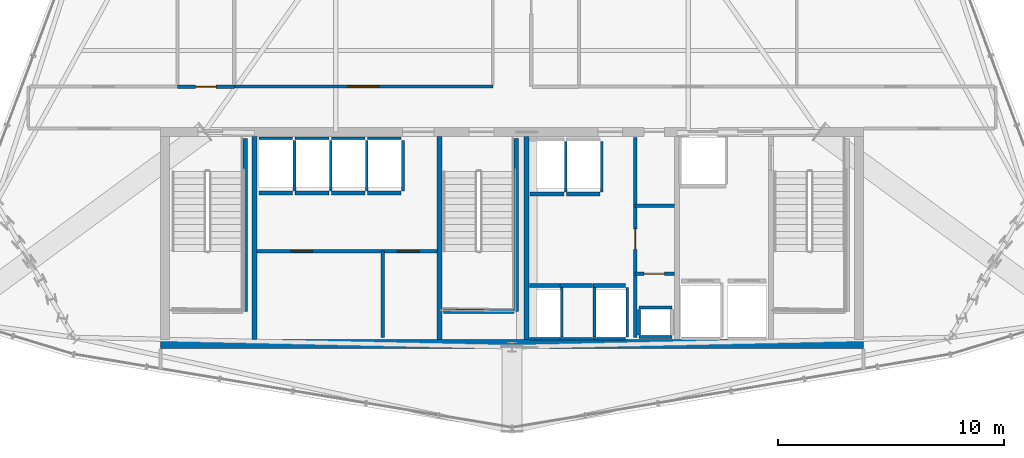
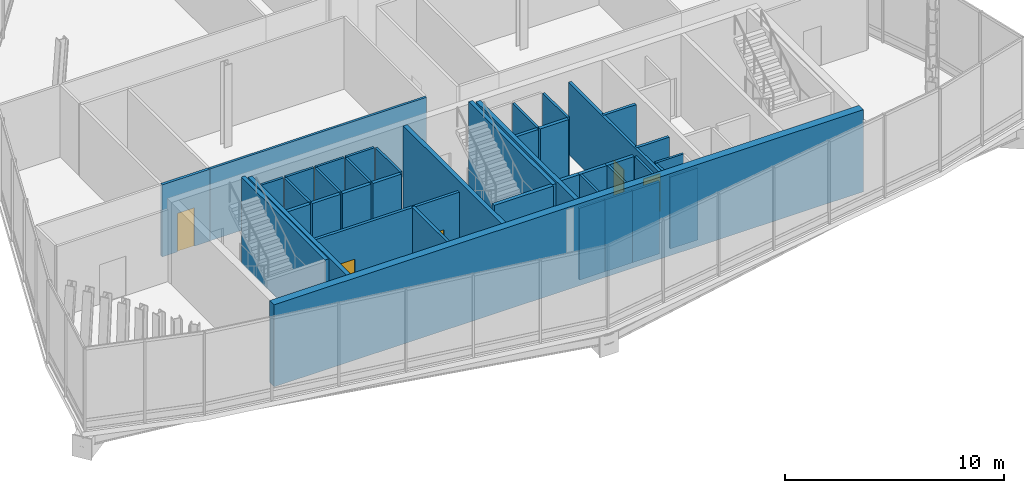
# One storey, part 23 of 28: 42 walls, 6 doors, 6 openings.
"""IFC4 building model written with IfcOpenShell, lengths in metres."""

from ifc_helpers import new_model, si_unit, direction, frame, frame_2d, origin, place, context, subcontext, project, spatial, rectangle, extrude, material, layer, layer_set, type_object, element, fill, save


model = new_model("IFC4")

# Units and contexts
model_context = context("Model", 3, precision=1e-05, world=origin(), true_north=direction((0.0, 1.0)))
body_context = subcontext(model_context, "Body", "Model", "MODEL_VIEW")
ifc_project = project(units=[si_unit("LENGTHUNIT", "METRE"), si_unit("AREAUNIT", "SQUARE_METRE"), si_unit("VOLUMEUNIT", "CUBIC_METRE"), si_unit("PLANEANGLEUNIT", "RADIAN"), si_unit("MASSUNIT", "GRAM", prefix="KILO")], contexts=[model_context])

# Site, building, storey
site_placement = place(None, origin())
site = spatial("IfcSite", under=ifc_project, at=site_placement, CompositionType="ELEMENT")
building_placement = place(site_placement, origin())
building = spatial("IfcBuilding", under=site, at=building_placement, Name="Ndaravel Arena Tower", CompositionType="ELEMENT")
storey_placement = place(building_placement, frame((0.0, 0.0, 213.199951171875)))
storey = spatial("IfcBuildingStorey", under=building, at=storey_placement, Name="L51", CompositionType="ELEMENT", Elevation=213.199951171875)

# Wall, opening, door
ifc_material_1 = material(Name="Gypsum", Category="gypsum")
ifc_layer_1 = layer(ifc_material_1, 0.14990234375)
ifc_layer_set_1 = layer_set([ifc_layer_1], Name="Gypsum")
wall_type_1 = type_object("IfcWallType", Name="WALL-COMP-150", PredefinedType="PARTITIONING", material=ifc_layer_set_1)
wall_1_placement = place(storey_placement, frame((47.449951171875, 5.89990234375, 0.0), z_axis=(0.0, 0.0, 1.0), x_axis=(0.0, 1.0, 0.0)))
wall_1 = element("IfcWall", 1, at=wall_1_placement, inside=storey, type_object=wall_type_1, Name="L51 Core Riser Bay Partition", PredefinedType="PARTITIONING", context=body_context, shape_type="SweptSolid", body=[
    extrude(rectangle(XDim=8.85009765625, YDim=0.14990234375, at=frame_2d((4.425048828125, 0.0))), origin(), (0.0, 0.0, 1.0), 4.010498046875),
])
opening_1_placement = place(wall_1_placement, frame((3.89990234375, 0.0, 0.0)))
opening_1 = element("IfcOpeningElement", 2, at=opening_1_placement, cuts=wall_1, Name="Opening RD-01", PredefinedType="OPENING", context=body_context, shape_type="SweptSolid", body=[
    extrude(rectangle(XDim=0.89990234375, YDim=2.10009765625, at=frame_2d((0.449951171875, 1.050048828125))), frame((0.0, 0.074951171875, 0.0), z_axis=(0.0, -1.0, 0.0), x_axis=(1.0, 0.0, 0.0)), (0.0, 0.0, 1.0), 0.14990234375),
])
ifc_material_2 = material(Name="Steel S355", Category="steel")
door_type_1 = type_object("IfcDoorType", Name="DT-08-RISER-900", OperationType="SINGLE_SWING_LEFT", PredefinedType="DOOR", material=ifc_material_2)
door_1_placement = place(opening_1_placement, origin())
door_1 = element("IfcDoor", 3, at=door_1_placement, inside=storey, type_object=door_type_1, Name="L51 Plumbing Riser Door", OperationType="SINGLE_SWING_LEFT", OverallHeight=2.10009765625, OverallWidth=0.89990234375, PredefinedType="DOOR", context=body_context, shape_type="SweptSolid", body=[
    extrude(rectangle(XDim=0.89990234375, YDim=2.10009765625, at=frame_2d((0.449951171875, 1.050048828125))), frame((0.0, 0.02490234375, 0.0), z_axis=(0.0, -1.0, 0.0), x_axis=(1.0, 0.0, 0.0)), (0.0, 0.0, 1.0), 0.050048828125),
])
fill(opening_1, door_1)

wall_2_placement = place(storey_placement, frame((47.449951171875, 8.719970703125, 0.0), z_axis=(0.0, 0.0, 1.0), x_axis=(1.0, 0.0, 0.0)))
wall_2 = element("IfcWall", 4, at=wall_2_placement, inside=storey, type_object=wall_type_1, Name="L51 Core Riser Divider 1", PredefinedType="PARTITIONING", context=body_context, shape_type="SweptSolid", body=[
    extrude(rectangle(XDim=1.72998046875, YDim=0.14990234375, at=frame_2d((0.864990234375, 0.0))), origin(), (0.0, 0.0, 1.0), 4.010498046875),
])
opening_2_placement = place(wall_2_placement, frame((0.39990234375, 0.0, 0.0)))
opening_2 = element("IfcOpeningElement", 5, at=opening_2_placement, cuts=wall_2, Name="Opening RD-01", PredefinedType="OPENING", context=body_context, shape_type="SweptSolid", body=[
    extrude(rectangle(XDim=0.89990234375, YDim=2.10009765625, at=frame_2d((0.449951171875, 1.050048828125))), frame((0.0, 0.074951171875, 0.0), z_axis=(0.0, -1.0, 0.0), x_axis=(1.0, 0.0, 0.0)), (0.0, 0.0, 1.0), 0.14990234375),
])
door_2_placement = place(opening_2_placement, origin())
door_2 = element("IfcDoor", 6, at=door_2_placement, inside=storey, type_object=door_type_1, Name="L51 Low-Voltage Riser Door", OperationType="SINGLE_SWING_RIGHT", OverallHeight=2.10009765625, OverallWidth=0.89990234375, PredefinedType="DOOR", context=body_context, shape_type="SweptSolid", body=[
    extrude(rectangle(XDim=0.89990234375, YDim=2.10009765625, at=frame_2d((0.449951171875, 1.050048828125))), frame((0.0, 0.02490234375, 0.0), z_axis=(0.0, -1.0, 0.0), x_axis=(1.0, 0.0, 0.0)), (0.0, 0.0, 1.0), 0.050048828125),
])
fill(opening_2, door_2)

# Wall
wall_3_placement = place(storey_placement, frame((47.449951171875, 11.719970703125, 0.0), z_axis=(0.0, 0.0, 1.0), x_axis=(1.0, 0.0, 0.0)))
element("IfcWall", 7, at=wall_3_placement, inside=storey, type_object=wall_type_1, Name="L51 Core Riser Divider 2", PredefinedType="PARTITIONING", context=body_context, shape_type="SweptSolid", body=[
    extrude(rectangle(XDim=1.72998046875, YDim=0.14990234375, at=frame_2d((0.864990234375, 0.0))), origin(), (0.0, 0.0, 1.0), 4.010498046875),
])

# Wall, openings, doors
wall_4_placement = place(storey_placement, frame((30.719970703125, 9.719970703125, 0.0), z_axis=(0.0, 0.0, 1.0), x_axis=(1.0, 0.0, 0.0)))
wall_4 = element("IfcWall", 8, at=wall_4_placement, inside=storey, type_object=wall_type_1, Name="L51 Reclaimed Shaft Partition", PredefinedType="PARTITIONING", context=body_context, shape_type="SweptSolid", body=[
    extrude(rectangle(XDim=7.9599609375, YDim=0.14990234375, at=frame_2d((3.97998046875, 0.0))), origin(), (0.0, 0.0, 1.0), 4.010498046875),
])
opening_3_placement = place(wall_4_placement, frame((1.5, 0.0, 0.0)))
opening_3 = element("IfcOpeningElement", 9, at=opening_3_placement, cuts=wall_4, Name="Opening FD-03", PredefinedType="OPENING", context=body_context, shape_type="SweptSolid", body=[
    extrude(rectangle(XDim=0.949951171875, YDim=2.199951171875, at=frame_2d((0.47509765625, 1.10009765625))), frame((0.0, 0.074951171875, 0.0), z_axis=(0.0, -1.0, 0.0), x_axis=(1.0, 0.0, 0.0)), (0.0, 0.0, 1.0), 0.14990234375),
])
opening_4_placement = place(wall_4_placement, frame((6.2099609375, 0.0, 0.0)))
opening_4 = element("IfcOpeningElement", 10, at=opening_4_placement, cuts=wall_4, Name="Opening FD-03", PredefinedType="OPENING", context=body_context, shape_type="SweptSolid", body=[
    extrude(rectangle(XDim=0.949951171875, YDim=2.199951171875, at=frame_2d((0.47509765625, 1.10009765625))), frame((0.0, 0.074951171875, 0.0), z_axis=(0.0, -1.0, 0.0), x_axis=(1.0, 0.0, 0.0)), (0.0, 0.0, 1.0), 0.14990234375),
])
ifc_material_3 = material(Name="Steel S355", Category="steel")
door_type_2 = type_object("IfcDoorType", Name="DT-11-CORE-950", OperationType="SINGLE_SWING_LEFT", PredefinedType="DOOR", material=ifc_material_3)
door_3_placement = place(opening_3_placement, origin())
door_3 = element("IfcDoor", 11, at=door_3_placement, inside=storey, type_object=door_type_2, Name="L51 ICT Server Room Door", OperationType="SINGLE_SWING_LEFT", OverallHeight=2.199951171875, OverallWidth=0.949951171875, PredefinedType="DOOR", context=body_context, shape_type="SweptSolid", body=[
    extrude(rectangle(XDim=0.949951171875, YDim=2.199951171875, at=frame_2d((0.47509765625, 1.10009765625))), frame((0.0, 0.02490234375, 0.0), z_axis=(0.0, -1.0, 0.0), x_axis=(1.0, 0.0, 0.0)), (0.0, 0.0, 1.0), 0.050048828125),
])
fill(opening_3, door_3)
door_4_placement = place(opening_4_placement, origin())
door_4 = element("IfcDoor", 12, at=door_4_placement, inside=storey, type_object=door_type_2, Name="L51 Core Archive Room Door", OperationType="SINGLE_SWING_RIGHT", OverallHeight=2.199951171875, OverallWidth=0.949951171875, PredefinedType="DOOR", context=body_context, shape_type="SweptSolid", body=[
    extrude(rectangle(XDim=0.949951171875, YDim=2.199951171875, at=frame_2d((0.47509765625, 1.10009765625))), frame((0.0, 0.02490234375, 0.0), z_axis=(0.0, -1.0, 0.0), x_axis=(1.0, 0.0, 0.0)), (0.0, 0.0, 1.0), 0.050048828125),
])
fill(opening_4, door_4)

# Walls
wall_5_placement = place(storey_placement, frame((36.280029296875, 5.89990234375, 0.0), z_axis=(0.0, 0.0, 1.0), x_axis=(0.0, 1.0, 0.0)))
element("IfcWall", 13, at=wall_5_placement, inside=storey, type_object=wall_type_1, Name="L51 Reclaimed Bay Divider", PredefinedType="PARTITIONING", context=body_context, shape_type="SweptSolid", body=[
    extrude(rectangle(XDim=3.820068359375, YDim=0.14990234375, at=frame_2d((1.91015625, 0.0))), origin(), (0.0, 0.0, 1.0), 4.010498046875),
])
ifc_material_4 = material(Name="Concrete C50/60", Category="concrete")
ifc_layer_2 = layer(ifc_material_4, 0.219970703125)
ifc_layer_set_2 = layer_set([ifc_layer_2], Name="Concrete C50/60")
wall_type_2 = type_object("IfcWallType", Name="WALL-CORE-220", PredefinedType="SOLIDWALL", material=ifc_layer_set_2)
for number, where, z_axis, x_axis, name in (
    (14, (30.60009765625, 5.800048828125, 0.0), (0.0, 0.0, 1.0), (0.0, 1.0, 0.0), "L51 Core Web Shear Wall 1"),
    (15, (38.800048828125, 5.800048828125, 0.0), (0.0, 0.0, 1.0), (0.0, 1.0, 0.0), "L51 Core Web Shear Wall 2"),
    (16, (42.64990234375, 5.800048828125, 0.0), (0.0, 0.0, 1.0), (0.0, 1.0, 0.0), "L51 Core Web Shear Wall 3"),
):
    element("IfcWall", number, at=place(storey_placement, frame(where, z_axis=z_axis, x_axis=x_axis)), inside=storey, type_object=wall_type_2, Name=name, PredefinedType="SOLIDWALL", context=body_context, shape_type="SweptSolid", body=[
        extrude(rectangle(XDim=9.0, YDim=0.219970703125, at=frame_2d((4.5, 0.0))), origin(), (0.0, 0.0, 1.0), 4.580078125),
    ])
ifc_material_5 = material(Name="Concrete C50/60", Category="concrete")
ifc_layer_3 = layer(ifc_material_5, 0.39990234375)
ifc_layer_set_3 = layer_set([ifc_layer_3], Name="Concrete C50/60")
wall_type_3 = type_object("IfcWallType", Name="WALL-CORE-400", PredefinedType="SOLIDWALL", material=ifc_layer_set_3)
wall_6_placement = place(storey_placement, frame((26.449951171875, 5.60009765625, 0.0), z_axis=(0.0, 0.0, 1.0), x_axis=(1.0, 0.0, 0.0)))
element("IfcWall", 17, at=wall_6_placement, inside=storey, type_object=wall_type_3, Name="L51 Core South Shear Wall", PredefinedType="SOLIDWALL", context=body_context, shape_type="SweptSolid", body=[
    extrude(rectangle(XDim=31.10009765625, YDim=0.39990234375, at=frame_2d((15.550048828125, 0.0))), origin(), (0.0, 0.0, 1.0), 4.580078125),
])

# Wall, opening, door
ifc_material_6 = material(Name="Gypsum", Category="gypsum")
ifc_layer_4 = layer(ifc_material_6, 0.125)
ifc_layer_set_4 = layer_set([ifc_layer_4], Name="Gypsum")
wall_type_4 = type_object("IfcWallType", Name="WALL-PART-125", PredefinedType="PARTITIONING", material=ifc_layer_set_4)
wall_7_placement = place(storey_placement, frame((29.7109375, 17.0, 0.0), z_axis=(0.0, 0.0, 1.0), x_axis=(1.0, 0.0, 0.0)))
wall_7 = element("IfcWall", 18, at=wall_7_placement, inside=storey, type_object=wall_type_4, Name="L51 Interior Partition 007", PredefinedType="PARTITIONING", context=body_context, shape_type="SweptSolid", body=[
    extrude(rectangle(XDim=11.43896484375, YDim=0.125, at=frame_2d((5.719482421875, 0.0))), origin(), (0.0, 0.0, 1.0), 4.010498046875),
])
opening_5_placement = place(wall_7_placement, frame((5.01953125, 0.0, 0.0)))
opening_5 = element("IfcOpeningElement", 19, at=opening_5_placement, cuts=wall_7, Name="Opening ID-02", PredefinedType="OPENING", context=body_context, shape_type="SweptSolid", body=[
    extrude(rectangle(XDim=1.39990234375, YDim=2.199951171875, at=frame_2d((0.699951171875, 1.10009765625))), frame((0.0, 0.0625, 0.0), z_axis=(0.0, -1.0, 0.0), x_axis=(1.0, 0.0, 0.0)), (0.0, 0.0, 1.0), 0.125),
])
ifc_material_7 = material(Name="Timber", Category="wood")
door_type_3 = type_object("IfcDoorType", Name="DT-04-SUITE-1400", OperationType="DOUBLE_DOOR_SINGLE_SWING", PredefinedType="DOOR", material=ifc_material_7)
door_5_placement = place(opening_5_placement, origin())
door_5 = element("IfcDoor", 20, at=door_5_placement, inside=storey, type_object=door_type_3, Name="L51 Executive Boardroom Door", OperationType="SINGLE_SWING_LEFT", OverallHeight=2.199951171875, OverallWidth=1.39990234375, PredefinedType="DOOR", context=body_context, shape_type="SweptSolid", body=[
    extrude(rectangle(XDim=1.39990234375, YDim=2.199951171875, at=frame_2d((0.699951171875, 1.10009765625))), frame((0.0, 0.02490234375, 0.0), z_axis=(0.0, -1.0, 0.0), x_axis=(1.0, 0.0, 0.0)), (0.0, 0.0, 1.0), 0.050048828125),
])
fill(opening_5, door_5)

# Walls
ifc_material_8 = material(Name="Concrete C40/50", Category="concrete")
ifc_layer_5 = layer(ifc_material_8, 0.1201171875)
ifc_layer_set_5 = layer_set([ifc_layer_5], Name="Concrete C40/50")
wall_type_5 = type_object("IfcWallType", Name="WALL-SHAFT-120", PredefinedType="SOLIDWALL", material=ifc_layer_set_5)
for number, where, z_axis, x_axis, name in (
    (21, (47.6201171875, 5.919921875, 0.0), (0.0, 0.0, 1.0), (1.0, 0.0, 0.0), "L51 MEP Riser Shaft S Wall"),
    (22, (47.6201171875, 7.219970703125, 0.0), (0.0, 0.0, 1.0), (1.0, 0.0, 0.0), "L51 MEP Riser Shaft N Wall"),
):
    element("IfcWall", number, at=place(storey_placement, frame(where, z_axis=z_axis, x_axis=x_axis)), inside=storey, type_object=wall_type_5, Name=name, PredefinedType="SOLIDWALL", context=body_context, shape_type="SweptSolid", body=[
        extrude(rectangle(XDim=1.4599609375, YDim=0.1201171875, at=frame_2d((0.72998046875, 0.0))), origin(), (0.0, 0.0, 1.0), 4.010498046875),
    ])
wall_8_placement = place(storey_placement, frame((47.6201171875, 6.0, 0.0), z_axis=(0.0, 0.0, 1.0), x_axis=(0.0, 1.0, 0.0)))
element("IfcWall", 23, at=wall_8_placement, inside=storey, type_object=wall_type_5, Name="L51 MEP Riser Shaft W Wall", PredefinedType="SOLIDWALL", context=body_context, shape_type="SweptSolid", body=[
    extrude(rectangle(XDim=1.139892578125, YDim=0.1201171875, at=frame_2d((0.56982421875, 0.0))), origin(), (0.0, 0.0, 1.0), 4.010498046875),
])
wall_9_placement = place(storey_placement, frame((30.804931640625, 14.7099609375, 0.0), z_axis=(0.0, 0.0, 1.0), x_axis=(1.0, 0.0, 0.0)))
element("IfcWall", 24, at=wall_9_placement, inside=storey, type_object=wall_type_5, Name="L51 PL-M1 Shaft Rear Wall", PredefinedType="SOLIDWALL", context=body_context, shape_type="SweptSolid", body=[
    extrude(rectangle(XDim=1.489990234375, YDim=0.1201171875, at=frame_2d((0.7451171875, 0.0))), origin(), (0.0, 0.0, 1.0), 4.010498046875),
])
wall_10_placement = place(storey_placement, frame((32.375, 12.389892578125, 0.0), z_axis=(0.0, 0.0, 1.0), x_axis=(0.0, 1.0, 0.0)))
element("IfcWall", 25, at=wall_10_placement, inside=storey, type_object=wall_type_5, Name="L51 PL-M1 Shaft Side R Wall", PredefinedType="SOLIDWALL", context=body_context, shape_type="SweptSolid", body=[
    extrude(rectangle(XDim=2.230224609375, YDim=0.1201171875, at=frame_2d((1.115234375, 0.0))), origin(), (0.0, 0.0, 1.0), 4.010498046875),
])
wall_11_placement = place(storey_placement, frame((32.405029296875, 14.7099609375, 0.0), z_axis=(0.0, 0.0, 1.0), x_axis=(1.0, 0.0, 0.0)))
element("IfcWall", 26, at=wall_11_placement, inside=storey, type_object=wall_type_5, Name="L51 PL-M2 Shaft Rear Wall", PredefinedType="SOLIDWALL", context=body_context, shape_type="SweptSolid", body=[
    extrude(rectangle(XDim=1.489990234375, YDim=0.1201171875, at=frame_2d((0.7451171875, 0.0))), origin(), (0.0, 0.0, 1.0), 4.010498046875),
])
wall_12_placement = place(storey_placement, frame((33.97509765625, 12.389892578125, 0.0), z_axis=(0.0, 0.0, 1.0), x_axis=(0.0, 1.0, 0.0)))
element("IfcWall", 27, at=wall_12_placement, inside=storey, type_object=wall_type_5, Name="L51 PL-M2 Shaft Side R Wall", PredefinedType="SOLIDWALL", context=body_context, shape_type="SweptSolid", body=[
    extrude(rectangle(XDim=2.230224609375, YDim=0.1201171875, at=frame_2d((1.115234375, 0.0))), origin(), (0.0, 0.0, 1.0), 4.010498046875),
])
wall_13_placement = place(storey_placement, frame((34.0048828125, 14.7099609375, 0.0), z_axis=(0.0, 0.0, 1.0), x_axis=(1.0, 0.0, 0.0)))
element("IfcWall", 28, at=wall_13_placement, inside=storey, type_object=wall_type_5, Name="L51 PL-M3 Shaft Rear Wall", PredefinedType="SOLIDWALL", context=body_context, shape_type="SweptSolid", body=[
    extrude(rectangle(XDim=1.490234375, YDim=0.1201171875, at=frame_2d((0.7451171875, 0.0))), origin(), (0.0, 0.0, 1.0), 4.010498046875),
])
wall_14_placement = place(storey_placement, frame((35.574951171875, 12.389892578125, 0.0), z_axis=(0.0, 0.0, 1.0), x_axis=(0.0, 1.0, 0.0)))
element("IfcWall", 29, at=wall_14_placement, inside=storey, type_object=wall_type_5, Name="L51 PL-M3 Shaft Side R Wall", PredefinedType="SOLIDWALL", context=body_context, shape_type="SweptSolid", body=[
    extrude(rectangle(XDim=2.230224609375, YDim=0.1201171875, at=frame_2d((1.115234375, 0.0))), origin(), (0.0, 0.0, 1.0), 4.010498046875),
])
wall_15_placement = place(storey_placement, frame((35.60498046875, 14.7099609375, 0.0), z_axis=(0.0, 0.0, 1.0), x_axis=(1.0, 0.0, 0.0)))
element("IfcWall", 30, at=wall_15_placement, inside=storey, type_object=wall_type_5, Name="L51 PL-M4 Shaft Rear Wall", PredefinedType="SOLIDWALL", context=body_context, shape_type="SweptSolid", body=[
    extrude(rectangle(XDim=1.489990234375, YDim=0.1201171875, at=frame_2d((0.7451171875, 0.0))), origin(), (0.0, 0.0, 1.0), 4.010498046875),
])
wall_16_placement = place(storey_placement, frame((37.175048828125, 12.389892578125, 0.0), z_axis=(0.0, 0.0, 1.0), x_axis=(0.0, 1.0, 0.0)))
element("IfcWall", 31, at=wall_16_placement, inside=storey, type_object=wall_type_5, Name="L51 PL-M4 Shaft Side R Wall", PredefinedType="SOLIDWALL", context=body_context, shape_type="SweptSolid", body=[
    extrude(rectangle(XDim=2.230224609375, YDim=0.1201171875, at=frame_2d((1.115234375, 0.0))), origin(), (0.0, 0.0, 1.0), 4.010498046875),
])
wall_17_placement = place(storey_placement, frame((42.780029296875, 5.840087890625, 0.0), z_axis=(0.0, 0.0, 1.0), x_axis=(1.0, 0.0, 0.0)))
element("IfcWall", 32, at=wall_17_placement, inside=storey, type_object=wall_type_5, Name="L51 PL-H1 Shaft Rear Wall", PredefinedType="SOLIDWALL", context=body_context, shape_type="SweptSolid", body=[
    extrude(rectangle(XDim=1.340087890625, YDim=0.1201171875, at=frame_2d((0.669921875, 0.0))), origin(), (0.0, 0.0, 1.0), 4.010498046875),
])
wall_18_placement = place(storey_placement, frame((44.199951171875, 5.929931640625, 0.0), z_axis=(0.0, 0.0, 1.0), x_axis=(0.0, 1.0, 0.0)))
element("IfcWall", 33, at=wall_18_placement, inside=storey, type_object=wall_type_5, Name="L51 PL-H1 Shaft Side R Wall", PredefinedType="SOLIDWALL", context=body_context, shape_type="SweptSolid", body=[
    extrude(rectangle(XDim=2.18017578125, YDim=0.1201171875, at=frame_2d((1.090087890625, 0.0))), origin(), (0.0, 0.0, 1.0), 4.010498046875),
])
wall_19_placement = place(storey_placement, frame((44.1298828125, 5.840087890625, 0.0), z_axis=(0.0, 0.0, 1.0), x_axis=(1.0, 0.0, 0.0)))
element("IfcWall", 34, at=wall_19_placement, inside=storey, type_object=wall_type_5, Name="L51 PL-H2 Shaft Rear Wall", PredefinedType="SOLIDWALL", context=body_context, shape_type="SweptSolid", body=[
    extrude(rectangle(XDim=1.440185546875, YDim=0.1201171875, at=frame_2d((0.72021484375, 0.0))), origin(), (0.0, 0.0, 1.0), 4.010498046875),
])
wall_20_placement = place(storey_placement, frame((45.64990234375, 5.929931640625, 0.0), z_axis=(0.0, 0.0, 1.0), x_axis=(0.0, 1.0, 0.0)))
element("IfcWall", 35, at=wall_20_placement, inside=storey, type_object=wall_type_5, Name="L51 PL-H2 Shaft Side R Wall", PredefinedType="SOLIDWALL", context=body_context, shape_type="SweptSolid", body=[
    extrude(rectangle(XDim=2.18017578125, YDim=0.1201171875, at=frame_2d((1.090087890625, 0.0))), origin(), (0.0, 0.0, 1.0), 4.010498046875),
])
wall_21_placement = place(storey_placement, frame((45.580078125, 5.840087890625, 0.0), z_axis=(0.0, 0.0, 1.0), x_axis=(1.0, 0.0, 0.0)))
element("IfcWall", 36, at=wall_21_placement, inside=storey, type_object=wall_type_5, Name="L51 PL-H3 Shaft Rear Wall", PredefinedType="SOLIDWALL", context=body_context, shape_type="SweptSolid", body=[
    extrude(rectangle(XDim=1.43994140625, YDim=0.1201171875, at=frame_2d((0.719970703125, 0.0))), origin(), (0.0, 0.0, 1.0), 4.010498046875),
])
wall_22_placement = place(storey_placement, frame((47.10009765625, 5.929931640625, 0.0), z_axis=(0.0, 0.0, 1.0), x_axis=(0.0, 1.0, 0.0)))
element("IfcWall", 37, at=wall_22_placement, inside=storey, type_object=wall_type_5, Name="L51 PL-H3 Shaft Side R Wall", PredefinedType="SOLIDWALL", context=body_context, shape_type="SweptSolid", body=[
    extrude(rectangle(XDim=2.18017578125, YDim=0.1201171875, at=frame_2d((1.090087890625, 0.0))), origin(), (0.0, 0.0, 1.0), 4.010498046875),
])
for number, where, z_axis, x_axis, name in (
    (38, (44.375, 12.340087890625, 0.0), (0.0, 0.0, 1.0), (0.0, 1.0, 0.0), "L51 PL-OBS1 Shaft Side R Wall"),
    (39, (45.97509765625, 12.340087890625, 0.0), (0.0, 0.0, 1.0), (0.0, 1.0, 0.0), "L51 PL-OBS2 Shaft Side R Wall"),
):
    element("IfcWall", number, at=place(storey_placement, frame(where, z_axis=z_axis, x_axis=x_axis)), inside=storey, type_object=wall_type_5, Name=name, PredefinedType="SOLIDWALL", context=body_context, shape_type="SweptSolid", body=[
        extrude(rectangle(XDim=2.22998046875, YDim=0.1201171875, at=frame_2d((1.114990234375, 0.0))), origin(), (0.0, 0.0, 1.0), 4.010498046875),
    ])
ifc_material_9 = material(Name="Concrete C40/50", Category="concrete")
ifc_layer_6 = layer(ifc_material_9, 0.199951171875)
ifc_layer_set_6 = layer_set([ifc_layer_6], Name="Concrete C40/50")
wall_type_6 = type_object("IfcWallType", Name="WALL-SHAFT-200", PredefinedType="SOLIDWALL", material=ifc_layer_set_6)
for number, where, z_axis, x_axis, name in (
    (40, (30.18994140625, 14.699951171875, 0.0), (0.0, 0.0, 1.0), (0.0, -1.0, 0.0), "L51 ST-1 Structural Shaft Wall Right"),
    (41, (42.18994140625, 14.699951171875, 0.0), (0.0, 0.0, 1.0), (0.0, -1.0, 0.0), "L51 ST-2 Structural Shaft Wall Right"),
):
    element("IfcWall", number, at=place(storey_placement, frame(where, z_axis=z_axis, x_axis=x_axis)), inside=storey, type_object=wall_type_6, Name=name, PredefinedType="SOLIDWALL", context=body_context, shape_type="SweptSolid", body=[
        extrude(rectangle(XDim=7.64990234375, YDim=0.199951171875, at=frame_2d((3.824951171875, 0.0))), origin(), (0.0, 0.0, 1.0), 4.800048828125),
    ])
wall_23_placement = place(storey_placement, frame((38.969970703125, 7.050048828125, 0.0), z_axis=(0.0, 0.0, 1.0), x_axis=(1.0, 0.0, 0.0)))
element("IfcWall", 42, at=wall_23_placement, inside=storey, type_object=wall_type_6, Name="L51 ST-2 Structural Shaft Wall Far", PredefinedType="SOLIDWALL", context=body_context, shape_type="SweptSolid", body=[
    extrude(rectangle(XDim=3.114990234375, YDim=0.199951171875, at=frame_2d((1.5576171875, 0.0))), origin(), (0.0, 0.0, 1.0), 4.800048828125),
])
for number, where, z_axis, x_axis, name in (
    (43, (30.804931640625, 12.300048828125, 0.0), (0.0, 0.0, 1.0), (1.0, 0.0, 0.0), "L51 PL-M1 Shaft Landing Wall"),
    (44, (32.405029296875, 12.300048828125, 0.0), (0.0, 0.0, 1.0), (1.0, 0.0, 0.0), "L51 PL-M2 Shaft Landing Wall"),
):
    element("IfcWall", number, at=place(storey_placement, frame(where, z_axis=z_axis, x_axis=x_axis)), inside=storey, type_object=wall_type_6, Name=name, PredefinedType="SOLIDWALL", context=body_context, shape_type="SweptSolid", body=[
        extrude(rectangle(XDim=1.489990234375, YDim=0.179931640625, at=frame_2d((0.7451171875, 0.0))), origin(), (0.0, 0.0, 1.0), 4.010498046875),
    ])
wall_24_placement = place(storey_placement, frame((34.0048828125, 12.300048828125, 0.0), z_axis=(0.0, 0.0, 1.0), x_axis=(1.0, 0.0, 0.0)))
element("IfcWall", 45, at=wall_24_placement, inside=storey, type_object=wall_type_6, Name="L51 PL-M3 Shaft Landing Wall", PredefinedType="SOLIDWALL", context=body_context, shape_type="SweptSolid", body=[
    extrude(rectangle(XDim=1.490234375, YDim=0.179931640625, at=frame_2d((0.7451171875, 0.0))), origin(), (0.0, 0.0, 1.0), 4.010498046875),
])
wall_25_placement = place(storey_placement, frame((35.60498046875, 12.300048828125, 0.0), z_axis=(0.0, 0.0, 1.0), x_axis=(1.0, 0.0, 0.0)))
element("IfcWall", 46, at=wall_25_placement, inside=storey, type_object=wall_type_6, Name="L51 PL-M4 Shaft Landing Wall", PredefinedType="SOLIDWALL", context=body_context, shape_type="SweptSolid", body=[
    extrude(rectangle(XDim=1.489990234375, YDim=0.179931640625, at=frame_2d((0.7451171875, 0.0))), origin(), (0.0, 0.0, 1.0), 4.010498046875),
])
wall_26_placement = place(storey_placement, frame((42.780029296875, 8.199951171875, 0.0), z_axis=(0.0, 0.0, 1.0), x_axis=(1.0, 0.0, 0.0)))
element("IfcWall", 47, at=wall_26_placement, inside=storey, type_object=wall_type_6, Name="L51 PL-H1 Shaft Landing Wall", PredefinedType="SOLIDWALL", context=body_context, shape_type="SweptSolid", body=[
    extrude(rectangle(XDim=1.340087890625, YDim=0.179931640625, at=frame_2d((0.669921875, 0.0))), origin(), (0.0, 0.0, 1.0), 4.010498046875),
])
wall_27_placement = place(storey_placement, frame((44.1298828125, 8.199951171875, 0.0), z_axis=(0.0, 0.0, 1.0), x_axis=(1.0, 0.0, 0.0)))
element("IfcWall", 48, at=wall_27_placement, inside=storey, type_object=wall_type_6, Name="L51 PL-H2 Shaft Landing Wall", PredefinedType="SOLIDWALL", context=body_context, shape_type="SweptSolid", body=[
    extrude(rectangle(XDim=1.440185546875, YDim=0.179931640625, at=frame_2d((0.72021484375, 0.0))), origin(), (0.0, 0.0, 1.0), 4.010498046875),
])
wall_28_placement = place(storey_placement, frame((45.580078125, 8.199951171875, 0.0), z_axis=(0.0, 0.0, 1.0), x_axis=(1.0, 0.0, 0.0)))
element("IfcWall", 49, at=wall_28_placement, inside=storey, type_object=wall_type_6, Name="L51 PL-H3 Shaft Landing Wall", PredefinedType="SOLIDWALL", context=body_context, shape_type="SweptSolid", body=[
    extrude(rectangle(XDim=1.43994140625, YDim=0.179931640625, at=frame_2d((0.719970703125, 0.0))), origin(), (0.0, 0.0, 1.0), 4.010498046875),
])
for number, where, z_axis, x_axis, name in (
    (50, (42.804931640625, 12.25, 0.0), (0.0, 0.0, 1.0), (1.0, 0.0, 0.0), "L51 PL-OBS1 Shaft Landing Wall"),
    (51, (44.405029296875, 12.25, 0.0), (0.0, 0.0, 1.0), (1.0, 0.0, 0.0), "L51 PL-OBS2 Shaft Landing Wall"),
):
    element("IfcWall", number, at=place(storey_placement, frame(where, z_axis=z_axis, x_axis=x_axis)), inside=storey, type_object=wall_type_6, Name=name, PredefinedType="SOLIDWALL", context=body_context, shape_type="SweptSolid", body=[
        extrude(rectangle(XDim=1.489990234375, YDim=0.179931640625, at=frame_2d((0.7451171875, 0.0))), origin(), (0.0, 0.0, 1.0), 4.010498046875),
    ])

# Wall, opening, door
ifc_material_10 = material(Name="Masonry", Category="masonry")
ifc_layer_7 = layer(ifc_material_10, 0.14990234375)
ifc_layer_set_7 = layer_set([ifc_layer_7], Name="Masonry")
wall_type_7 = type_object("IfcWallType", Name="WALL-WET-150", PredefinedType="PARTITIONING", material=ifc_layer_set_7)
wall_29_placement = place(storey_placement, frame((27.199951171875, 17.0, 0.0), z_axis=(0.0, 0.0, 1.0), x_axis=(1.0, 0.0, 0.0)))
wall_29 = element("IfcWall", 52, at=wall_29_placement, inside=storey, type_object=wall_type_7, Name="L51 Interior Partition 006", PredefinedType="PARTITIONING", context=body_context, shape_type="SweptSolid", body=[
    extrude(rectangle(XDim=2.510986328125, YDim=0.14990234375, at=frame_2d((1.25537109375, 0.0))), origin(), (0.0, 0.0, 1.0), 4.010498046875),
])
opening_6_placement = place(wall_29_placement, frame((0.805419921875, 0.0, 0.0)))
opening_6 = element("IfcOpeningElement", 53, at=opening_6_placement, cuts=wall_29, Name="Opening WD-01", PredefinedType="OPENING", context=body_context, shape_type="SweptSolid", body=[
    extrude(rectangle(XDim=0.89990234375, YDim=2.14990234375, at=frame_2d((0.449951171875, 1.074951171875))), frame((0.0, 0.074951171875, 0.0), z_axis=(0.0, -1.0, 0.0), x_axis=(1.0, 0.0, 0.0)), (0.0, 0.0, 1.0), 0.14990234375),
])
ifc_material_11 = material(Name="Timber", Category="wood")
door_type_4 = type_object("IfcDoorType", Name="DT-05-WC-900", OperationType="SINGLE_SWING_LEFT", PredefinedType="DOOR", material=ifc_material_11)
door_6_placement = place(opening_6_placement, origin())
door_6 = element("IfcDoor", 54, at=door_6_placement, inside=storey, type_object=door_type_4, Name="L51 Male Staff & Visitor Restroom Door", OperationType="SINGLE_SWING_RIGHT", OverallHeight=2.14990234375, OverallWidth=0.89990234375, PredefinedType="DOOR", context=body_context, shape_type="SweptSolid", body=[
    extrude(rectangle(XDim=0.89990234375, YDim=2.14990234375, at=frame_2d((0.449951171875, 1.074951171875))), frame((0.0, 0.02490234375, 0.0), z_axis=(0.0, -1.0, 0.0), x_axis=(1.0, 0.0, 0.0)), (0.0, 0.0, 1.0), 0.050048828125),
])
fill(opening_6, door_6)

save(model, "model.ifc")
